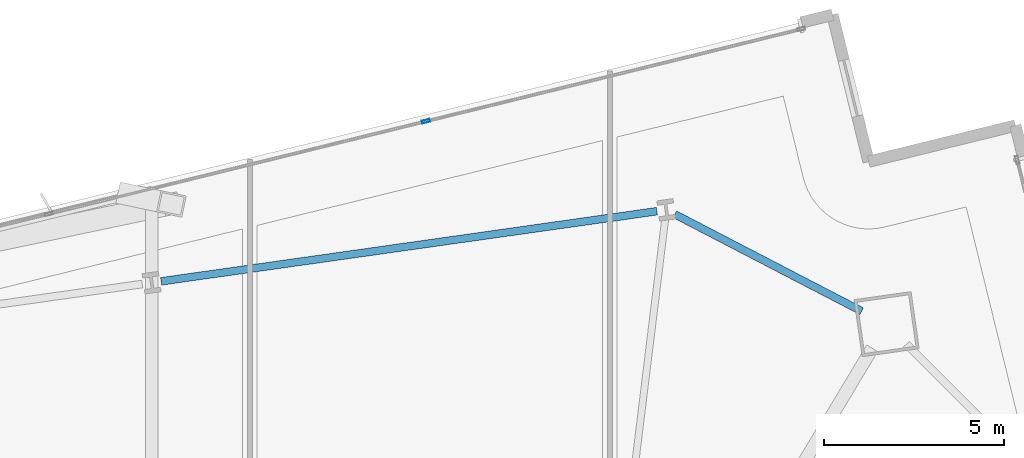
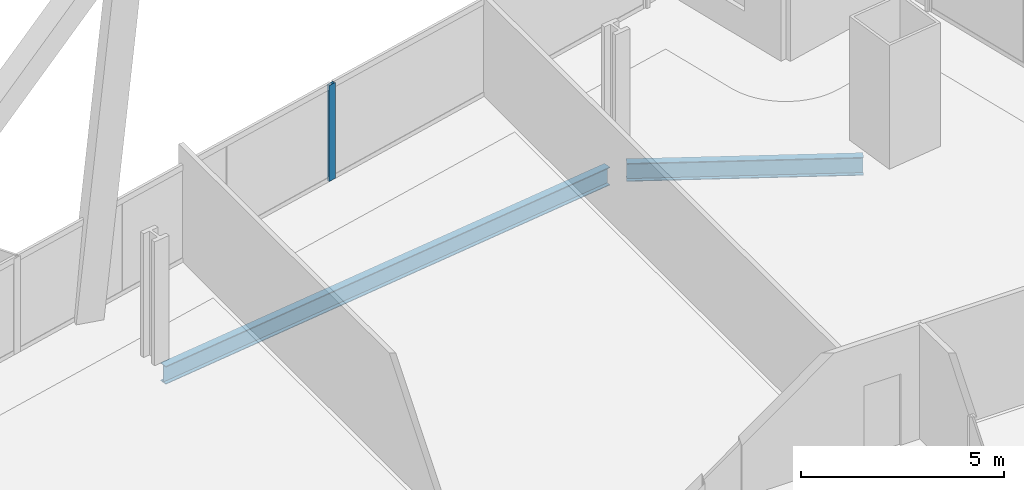
# One storey, part 20 of 32: 2 beams, 1 member, 1 element without a shape of its own.
"""IFC4 building model written with IfcOpenShell, lengths in metres."""

from ifc_helpers import new_model, si_unit, direction, frame, origin, origin_2d, place, context, subcontext, project, spatial, hollow_rectangle, i_section, extrude, material, material_profile, profile_set, type_object, element, aggregate, save


model = new_model("IFC4")

# Units and contexts
model_context = context("Model", 3, precision=1e-05, world=origin(), true_north=direction((0.0, 1.0)))
body_context = subcontext(model_context, "Body", "Model", "MODEL_VIEW")
ifc_project = project(units=[si_unit("LENGTHUNIT", "METRE"), si_unit("AREAUNIT", "SQUARE_METRE"), si_unit("VOLUMEUNIT", "CUBIC_METRE"), si_unit("PLANEANGLEUNIT", "RADIAN"), si_unit("MASSUNIT", "GRAM", prefix="KILO")], contexts=[model_context])

# Site, building, storey
site_placement = place(None, origin())
site = spatial("IfcSite", under=ifc_project, at=site_placement, CompositionType="ELEMENT")
building_placement = place(site_placement, origin())
building = spatial("IfcBuilding", under=site, at=building_placement, Name="Haldenkirk Collegiate Tower", CompositionType="ELEMENT")
storey_placement = place(building_placement, frame((0.0, 0.0, 73.949951171875)))
storey = spatial("IfcBuildingStorey", under=building, at=storey_placement, Name="L17", CompositionType="ELEMENT", Elevation=73.949951171875)

# Beams
ifc_material_1 = material(Name="Steel ASTM A992 Grade 50", Category="steel")
ifc_material_profile_1 = material_profile(ifc_material_1, i_section(OverallWidth=0.2119140625, OverallDepth=0.5439453125, WebThickness=0.01318359375, FlangeThickness=0.021240234375, at=origin_2d()), Name="W21X83")
ifc_profile_set_1 = profile_set([ifc_material_profile_1], Name="Steel ASTM A992 Grade 50")
beam_type = type_object("IfcBeamType", Name="BM-SPANDREL-W21X83", PredefinedType="SPANDREL", material=ifc_profile_set_1)
beam_1_placement = place(storey_placement, frame((52.4921875, 48.029296875, -0.58203125), z_axis=(-0.887648364794, 0.460521856678, 0.0), x_axis=(-0.460521856678, -0.887648364794, 0.0)))
element("IfcBeam", 1, at=beam_1_placement, inside=storey, type_object=beam_type, Name="L17 perimeter spandrel beam 09", PredefinedType="SPANDREL", context=body_context, shape_type="SweptSolid", body=[
    extrude(i_section(OverallWidth=0.2119140625, OverallDepth=0.5439453125, WebThickness=0.01318359375, FlangeThickness=0.021240234375, at=origin_2d()), origin(), (0.0, 0.0, 1.0), 5.848388671875),
])
beam_2_placement = place(storey_placement, frame((46.803955078125, 50.807373046875, -0.58203125), z_axis=(-0.990146197746, -0.14003752029, 0.0), x_axis=(0.14003752029, -0.990146197746, 0.0)))
element("IfcBeam", 2, at=beam_2_placement, inside=storey, type_object=beam_type, Name="L17 perimeter spandrel beam 10", PredefinedType="SPANDREL", context=body_context, shape_type="SweptSolid", body=[
    extrude(i_section(OverallWidth=0.2119140625, OverallDepth=0.5439453125, WebThickness=0.01318359375, FlangeThickness=0.021240234375, at=origin_2d()), origin(), (0.0, 0.0, 1.0), 13.906982421875),
])

# Curtain wall, member
ifc_material_2 = material(Name="Anodised architectural bronze aluminium", Category="aluminium")
curtain_wall_type = type_object("IfcCurtainWallType", Name="CW-SYS1-CONVEX-LOW", PredefinedType="USERDEFINED", material=ifc_material_2)
curtain_wall_placement = place(storey_placement, origin())
curtain_wall = element("IfcCurtainWall", 3, at=curtain_wall_placement, inside=storey, type_object=curtain_wall_type, Name="L17 Lower tower convex bronze-framed unitised curtain wall", ObjectType="UNITISED CURTAIN WALL", PredefinedType="USERDEFINED")
ifc_material_profile_2 = material_profile(ifc_material_2, hollow_rectangle(XDim=0.080078125, YDim=0.219970703125, WallThickness=0.0048828125, at=origin_2d()), Name="CW-MUL-1A")
ifc_profile_set_2 = profile_set([ifc_material_profile_2], Name="Anodised architectural bronze aluminium")
member_type = type_object("IfcMemberType", Name="CW-MUL-1A", PredefinedType="MULLION", material=ifc_profile_set_2)
member_placement = place(storey_placement, frame((40.388427734375, 53.304931640625, 0.0), z_axis=(0.0, 0.0, 1.0), x_axis=(-0.238533564784, 0.971134253577, 0.0)))
member = element("IfcMember", 4, at=member_placement, type_object=member_type, Name="CW-1A mullion 4", PredefinedType="MULLION", context=body_context, shape_type="SweptSolid", body=[
    extrude(hollow_rectangle(XDim=0.080078125, YDim=0.219970703125, WallThickness=0.0048828125, at=origin_2d()), origin(), (0.0, 0.0, 1.0), 2.89111328125),
])
aggregate(curtain_wall, [member])

save(model, "model.ifc")
